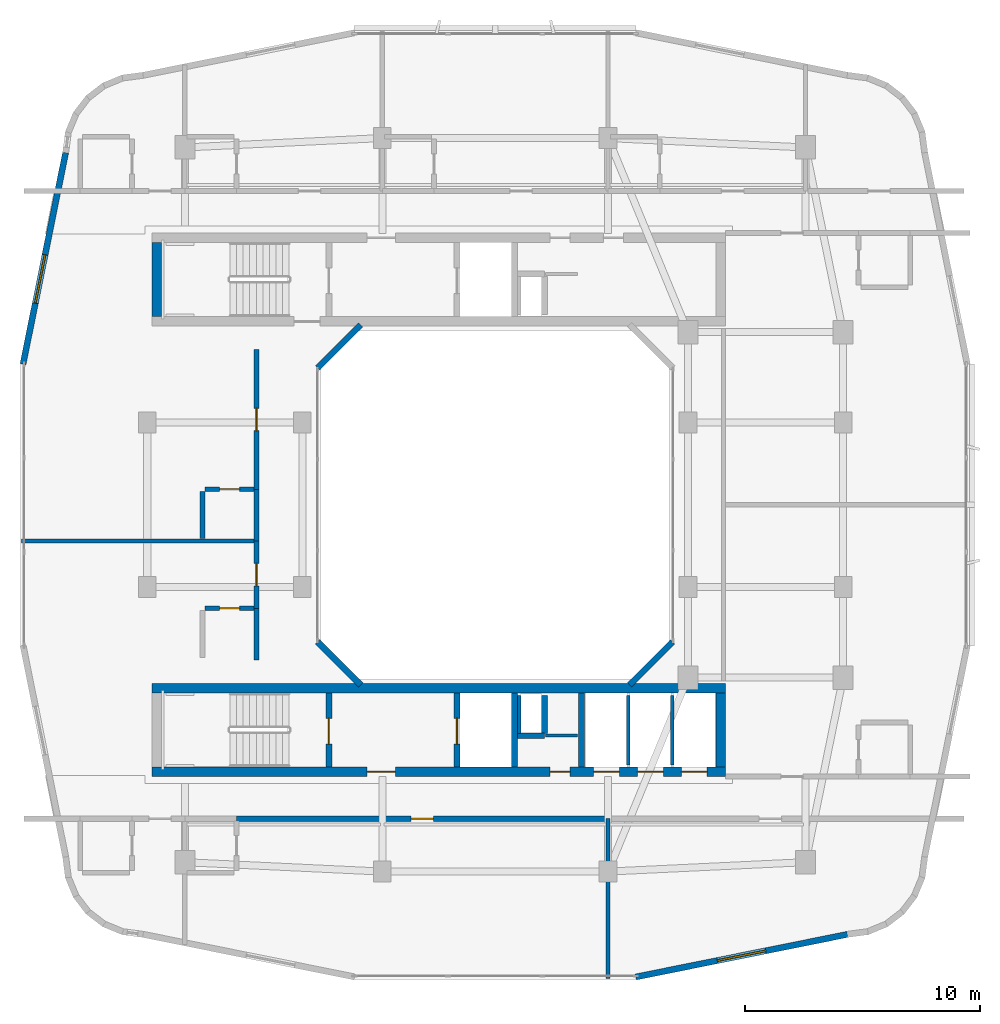
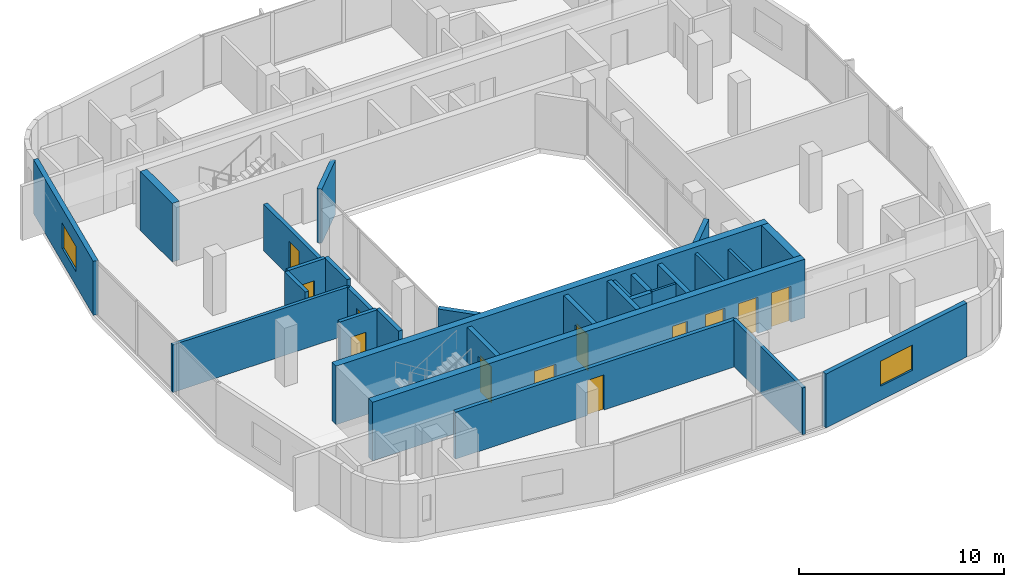
# One storey, part 7 of 14: 29 walls, 12 doors, 2 windows, 14 openings.
"""IFC4 building model written with IfcOpenShell, lengths in metres."""

import ifcopenshell
import ifcopenshell.guid

model = None  # the IFC model being written
_history = None  # IfcOwnerHistory: only IFC2X3 demands one
_inside = {}  # id of a spatial element -> (the spatial element, [elements in it])
_under = {}  # id of a project, library or spatial element -> (it, [spatial elements below it])
_declared = {}  # id of a project -> (the project, [libraries it declares])
_typed = {}  # id of a type object -> (the type object, [elements of that type])
_made_of = {}  # id of a material, layer set ... -> (it, [elements and type objects made of it])


def new_model(schema):
    """Start an empty IFC model of exactly this schema.

    Asked for "IFC4X3", IfcOpenShell would pick the latest addendum, in which some entities
    have other attributes; the version numbers below select the first issue.
    IFC2X3 requires an IfcOwnerHistory on every rooted entity: one is made here for all.
    """
    global model, _history
    if schema == "IFC4X3":
        model = ifcopenshell.file(schema_version=(4, 3, 0, 0))
    else:
        model = ifcopenshell.file(schema=schema)
    _inside.clear()
    _under.clear()
    _declared.clear()
    _typed.clear()
    _made_of.clear()
    _history = None
    if model.schema == "IFC2X3":
        org = make("IfcOrganization", Name="unknown")
        user = make(
            "IfcPersonAndOrganization",
            ThePerson=make("IfcPerson", FamilyName="unknown"),
            TheOrganization=org,
        )
        app = make(
            "IfcApplication",
            ApplicationDeveloper=org,
            Version="unknown",
            ApplicationFullName="unknown",
            ApplicationIdentifier="unknown",
        )
        _history = make(
            "IfcOwnerHistory",
            OwningUser=user,
            OwningApplication=app,
            ChangeAction="ADDED",
            CreationDate=0,
        )
    return model


def make(cls, **values):
    """One entity of the class cls with the attributes given. An attribute that is None is left unset."""
    return model.create_entity(
        cls, **{name: value for name, value in values.items() if value is not None}
    )


def rooted(cls, **values):
    """An entity with a GlobalId (a new one), such as an element, a storey or a relation."""
    return make(cls, GlobalId=ifcopenshell.guid.new(), OwnerHistory=_history, **values)


def si_unit(unit_type, name, prefix=None):
    """IfcSIUnit, for example si_unit("LENGTHUNIT", "METRE", prefix="MILLI")."""
    return make("IfcSIUnit", UnitType=unit_type, Prefix=prefix, Name=name)


def derived_unit(unit_type, elements):
    """IfcDerivedUnit: a product of units, each with its exponent."""
    return make(
        "IfcDerivedUnit",
        Elements=[
            make("IfcDerivedUnitElement", Unit=unit, Exponent=power)
            for unit, power in elements
        ],
        UnitType=unit_type,
    )


def assignment(units):
    """IfcUnitAssignment: the units of a project."""
    return None if units is None else make("IfcUnitAssignment", Units=units)


def point(xyz):
    """IfcCartesianPoint."""
    return None if xyz is None else make("IfcCartesianPoint", Coordinates=xyz)


def direction(xyz):
    """IfcDirection."""
    return None if xyz is None else make("IfcDirection", DirectionRatios=xyz)


def frame(location, z_axis=None, x_axis=None):
    """IfcAxis2Placement3D, a coordinate frame: its origin and axes. An axis left out is left unset."""
    return make(
        "IfcAxis2Placement3D",
        Location=point(location),
        Axis=direction(z_axis),
        RefDirection=direction(x_axis),
    )


def frame_2d(location, x_axis=None):
    """IfcAxis2Placement2D, a coordinate frame in the plane: its origin and x axis."""
    return make(
        "IfcAxis2Placement2D", Location=point(location), RefDirection=direction(x_axis)
    )


def origin():
    """The frame at (0, 0, 0) with its axes left unset."""
    return frame((0.0, 0.0, 0.0))


def place(relative_to, where):
    """IfcLocalPlacement: puts the frame where relative to a parent placement (None: the world)."""
    return make(
        "IfcLocalPlacement", PlacementRelTo=relative_to, RelativePlacement=where
    )


def context(
    kind, dimensions, precision=None, world=None, true_north=None, identifier=None
):
    """IfcGeometricRepresentationContext, for example the 3D "Model" context."""
    return make(
        "IfcGeometricRepresentationContext",
        ContextIdentifier=identifier,
        ContextType=kind,
        CoordinateSpaceDimension=dimensions,
        Precision=precision,
        WorldCoordinateSystem=world,
        TrueNorth=true_north,
    )


def subcontext(parent, identifier, kind, view, scale=None):
    """IfcGeometricRepresentationSubContext, for example "Body" below "Model"."""
    return make(
        "IfcGeometricRepresentationSubContext",
        ContextIdentifier=identifier,
        ContextType=kind,
        ParentContext=parent,
        TargetScale=scale,
        TargetView=view,
    )


def project(units=None, contexts=None):
    """IfcProject with its units and contexts."""
    return rooted(
        "IfcProject",
        Name="project",
        RepresentationContexts=contexts,
        UnitsInContext=assignment(units),
    )


def spatial(cls, under=None, at=None, **own):
    """A site, building, storey or space (cls), placed at a placement, below another one or the project."""
    s = rooted(cls, ObjectPlacement=at, **own)
    if under is not None:
        _under.setdefault(under.id(), (under, []))[1].append(s)
    return s


def profile(cls, at=None, kind="AREA", **sizes):
    """A parametric profile (cls). Its sizes go by their IFC names, for example OverallWidth=200.0."""
    return make(cls, ProfileType=kind, Position=at, **sizes)


def rectangle(**sizes):
    """IfcRectangleProfileDef."""
    return profile("IfcRectangleProfileDef", **sizes)


def extrude(swept, where, along, depth):
    """IfcExtrudedAreaSolid: the profile swept, set in the frame where, extruded along a direction by depth."""
    return make(
        "IfcExtrudedAreaSolid",
        SweptArea=swept,
        Position=where,
        ExtrudedDirection=direction(along),
        Depth=depth,
    )


def shape(context_of_items, identifier, shape_type, items):
    """IfcShapeRepresentation: the items that make up one representation, for example the "Body"."""
    return make(
        "IfcShapeRepresentation",
        ContextOfItems=context_of_items,
        RepresentationIdentifier=identifier,
        RepresentationType=shape_type,
        Items=items,
    )


def material(Name=None, Category=None):
    """IfcMaterial."""
    return make("IfcMaterial", Name=Name, Category=Category)


def layer(
    of_material, thickness, ventilated=None, Name=None, Category=None, Priority=None
):
    """IfcMaterialLayer: one layer of a wall or slab, of a material (None: an air gap)."""
    return make(
        "IfcMaterialLayer",
        Material=of_material,
        LayerThickness=thickness,
        IsVentilated=ventilated,
        Name=Name,
        Category=Category,
        Priority=Priority,
    )


def layer_set(layers, Name=None):
    """IfcMaterialLayerSet."""
    return make("IfcMaterialLayerSet", MaterialLayers=layers, LayerSetName=Name)


def made_of(thing, what):
    """Note that an element or type object is made of a material, layer set ...; save() writes the relation."""
    if what is not None:
        _made_of.setdefault(what.id(), (what, []))[1].append(thing)
    return thing


def type_object(cls, material=None, **own):
    """A type object (cls), such as IfcWallType, which elements share."""
    return made_of(rooted(cls, **own), material)


def element(
    cls,
    number,
    at=None,
    inside=None,
    cuts=None,
    type_object=None,
    material=None,
    context=None,
    identifier="Body",
    shape_type=None,
    held_by="IfcProductDefinitionShape",
    body=None,
    shapes=None,
    **own,
):
    """One element of the class cls, such as IfcWall. Its Tag is "e" and its number.

    at: its placement. inside: the storey or other place that contains it. cuts: it is an
    opening in that element (IfcRelVoidsElement). A single representation is given by context,
    identifier, shape_type and body (its items); several are given by shapes. held_by: the class
    of the entity that holds the representations. save() writes the other relations.
    """
    e = rooted(cls, Tag="e%d" % number, ObjectPlacement=at, **own)
    if body is not None:
        shapes = [shape(context, identifier, shape_type, body)]
    if shapes is not None:
        e.Representation = make(held_by, Representations=shapes)
    if inside is not None:
        _inside.setdefault(inside.id(), (inside, []))[1].append(e)
    if cuts is not None:
        rooted(
            "IfcRelVoidsElement", RelatingBuildingElement=cuts, RelatedOpeningElement=e
        )
    if type_object is not None:
        _typed.setdefault(type_object.id(), (type_object, []))[1].append(e)
    return made_of(e, material)


def fill(opening, filler):
    """IfcRelFillsElement: the door or window that sits in an opening."""
    return rooted(
        "IfcRelFillsElement",
        RelatingOpeningElement=opening,
        RelatedBuildingElement=filler,
    )


def aggregate(whole, parts):
    """IfcRelAggregates: a whole, such as a stair, and the parts it consists of."""
    return rooted("IfcRelAggregates", RelatingObject=whole, RelatedObjects=parts)


def save(model, path):
    """Write the relations noted so far, then the file.

    IfcRelAggregates (storeys below a building ...), IfcRelContainedInSpatialStructure (elements
    in a storey), IfcRelDefinesByType, IfcRelAssociatesMaterial and IfcRelDeclares: one each for
    every whole, place, type object, material and project.
    """
    for whole, parts in _under.values():
        aggregate(whole, parts)
    for where, things in _inside.values():
        rooted(
            "IfcRelContainedInSpatialStructure",
            RelatedElements=things,
            RelatingStructure=where,
        )
    for kind, things in _typed.values():
        rooted("IfcRelDefinesByType", RelatedObjects=things, RelatingType=kind)
    for what, things in _made_of.values():
        rooted("IfcRelAssociatesMaterial", RelatedObjects=things, RelatingMaterial=what)
    for by, libraries in _declared.values():
        rooted("IfcRelDeclares", RelatingContext=by, RelatedDefinitions=libraries)
    model.write(path)


model = new_model("IFC4")

# Units and contexts
model_context = context("Model", 3, precision=1e-05, world=origin(), true_north=direction((0.0, 1.0)))
body_context = subcontext(model_context, "Body", "Model", "MODEL_VIEW")
ifc_project = project(units=[si_unit("LENGTHUNIT", "METRE"), si_unit("AREAUNIT", "SQUARE_METRE"), si_unit("VOLUMEUNIT", "CUBIC_METRE"), si_unit("PLANEANGLEUNIT", "RADIAN"), si_unit("MASSUNIT", "GRAM", prefix="KILO"), derived_unit("THERMALTRANSMITTANCEUNIT", [(si_unit("POWERUNIT", "WATT"), 1), (si_unit("LENGTHUNIT", "METRE"), -2), (si_unit("THERMODYNAMICTEMPERATUREUNIT", "KELVIN"), -1)])], contexts=[model_context])

# Site, building, storey
site_placement = place(None, origin())
site = spatial("IfcSite", under=ifc_project, at=site_placement, CompositionType="ELEMENT")
building_placement = place(site_placement, origin())
building = spatial("IfcBuilding", under=site, at=building_placement, Name="Kivonza Crest Hotel", CompositionType="ELEMENT")
storey_placement = place(building_placement, frame((0.0, 0.0, 152.0)))
storey = spatial("IfcBuildingStorey", under=building, at=storey_placement, Name="L41", CompositionType="ELEMENT", Elevation=152.0)

# Walls
ifc_material_1 = material(Name="High-density acoustic masonry inter-tenancy wall", Category="masonry")
ifc_layer_1 = layer(ifc_material_1, 0.179931640625)
ifc_layer_set_1 = layer_set([ifc_layer_1], Name="High-density acoustic masonry inter-tenancy wall")
wall_type_1 = type_object("IfcWallType", Name="WL-ACOU-180", PredefinedType="SOLIDWALL", material=ifc_layer_set_1)
wall_1_placement = place(storey_placement, frame((25.800048828125, 4.860107421875, 0.0), z_axis=(0.0, 0.0, 1.0), x_axis=(0.0, 1.0, 0.0)))
element("IfcWall", 1, at=wall_1_placement, inside=storey, type_object=wall_type_1, Name="L41 interior partition WA-L41-T1S-DIV2", PredefinedType="SOLIDWALL", context=body_context, shape_type="SweptSolid", body=[
    extrude(rectangle(XDim=6.789794921875, YDim=0.179931640625, at=frame_2d((3.39501953125, 0.0))), origin(), (0.0, 0.0, 1.0), 2.794921875),
])
wall_2_placement = place(storey_placement, frame((0.860107421875, 23.4599609375, 0.0), z_axis=(0.0, 0.0, 1.0), x_axis=(1.0, 0.0, 0.0)))
element("IfcWall", 2, at=wall_2_placement, inside=storey, type_object=wall_type_1, Name="L41 interior partition WA-L41-T1W-DIV1", PredefinedType="SOLIDWALL", context=body_context, shape_type="SweptSolid", body=[
    extrude(rectangle(XDim=9.989990234375, YDim=0.179931640625, at=frame_2d((4.9951171875, 0.0))), origin(), (0.0, 0.0, 1.0), 2.8349609375),
])

# Wall, opening, door
ifc_material_2 = material(Name="Autoclaved aerated concrete blockwork", Category="masonry")
ifc_layer_2 = layer(ifc_material_2, 0.219970703125)
ifc_layer_set_2 = layer_set([ifc_layer_2], Name="Autoclaved aerated concrete blockwork")
wall_type_2 = type_object("IfcWallType", Name="WL-ACOU-220", PredefinedType="SOLIDWALL", material=ifc_layer_set_2)
wall_3_placement = place(storey_placement, frame((10.0, 11.64990234375, 0.0), z_axis=(0.0, 0.0, 1.0), x_axis=(1.0, 0.0, 0.0)))
wall_3 = element("IfcWall", 3, at=wall_3_placement, inside=storey, type_object=wall_type_2, Name="L41 interior partition WA-L41-S06-MCORR", PredefinedType="SOLIDWALL", context=body_context, shape_type="SweptSolid", body=[
    extrude(rectangle(XDim=15.800048828125, YDim=0.219970703125, at=frame_2d((7.89990234375, 0.0))), origin(), (0.0, 0.0, 1.0), 2.794921875),
])
opening_1_placement = place(wall_3_placement, frame((7.425048828125, 0.0, 0.0)))
opening_1 = element("IfcOpeningElement", 4, at=opening_1_placement, cuts=wall_3, Name="Opening DU-60", PredefinedType="OPENING", context=body_context, shape_type="SweptSolid", body=[
    extrude(rectangle(XDim=0.949951171875, YDim=2.10009765625, at=frame_2d((0.47509765625, 1.050048828125))), frame((0.0, 0.1201171875, 0.0), z_axis=(0.0, -1.0, 0.0), x_axis=(1.0, 0.0, 0.0)), (0.0, 0.0, 1.0), 0.239990234375),
])
ifc_material_3 = material(Name="Hardwood timber oak", Category="wood")
door_type_1 = type_object("IfcDoorType", Name="DR-UNIT-950", OperationType="NOTDEFINED", PredefinedType="DOOR", material=ifc_material_3)
door_1_placement = place(opening_1_placement, frame((0.949951171875, 0.0, 0.0), z_axis=(0.0, 0.0, 1.0), x_axis=(-1.0, 0.0, 0.0)))
door_1 = element("IfcDoor", 5, at=door_1_placement, inside=storey, type_object=door_type_1, Name="L41 S06 guest unit entrance fire door", OperationType="SINGLE_SWING_RIGHT", OverallHeight=2.10009765625, OverallWidth=0.949951171875, PredefinedType="DOOR", context=body_context, shape_type="SweptSolid", body=[
    extrude(rectangle(XDim=0.949951171875, YDim=2.10009765625, at=frame_2d((0.47509765625, 1.050048828125))), frame((0.0, 0.02490234375, 0.0), z_axis=(0.0, -1.0, 0.0), x_axis=(1.0, 0.0, 0.0)), (0.0, 0.0, 1.0), 0.050048828125),
])
fill(opening_1, door_1)

# Wall
wall_4_placement = place(storey_placement, frame((10.85009765625, 18.39990234375, 0.0), z_axis=(0.0, 0.0, 1.0), x_axis=(0.0, 1.0, 0.0)))
element("IfcWall", 6, at=wall_4_placement, inside=storey, type_object=wall_type_2, Name="L41 interior partition WA-L41-W07-BCORR", PredefinedType="SOLIDWALL", context=body_context, shape_type="SweptSolid", body=[
    extrude(rectangle(XDim=2.2001953125, YDim=0.219970703125, at=frame_2d((1.10009765625, 0.0))), origin(), (0.0, 0.0, 1.0), 3.219970703125),
])

# Wall, opening, door
wall_5_placement = place(storey_placement, frame((10.85009765625, 20.60009765625, 0.0), z_axis=(0.0, 0.0, 1.0), x_axis=(0.0, 1.0, 0.0)))
wall_5 = element("IfcWall", 7, at=wall_5_placement, inside=storey, type_object=wall_type_2, Name="L41 interior partition WA-L41-W07-MCORR", PredefinedType="SOLIDWALL", context=body_context, shape_type="SweptSolid", body=[
    extrude(rectangle(XDim=2.85986328125, YDim=0.219970703125, at=frame_2d((1.429931640625, 0.0))), origin(), (0.0, 0.0, 1.0), 2.794921875),
])
opening_2_placement = place(wall_5_placement, frame((0.955078125, 0.0, 0.0)))
opening_2 = element("IfcOpeningElement", 8, at=opening_2_placement, cuts=wall_5, Name="Opening DU-60", PredefinedType="OPENING", context=body_context, shape_type="SweptSolid", body=[
    extrude(rectangle(XDim=0.949951171875, YDim=2.10009765625, at=frame_2d((0.47509765625, 1.050048828125))), frame((0.0, 0.1201171875, 0.0), z_axis=(0.0, -1.0, 0.0), x_axis=(1.0, 0.0, 0.0)), (0.0, 0.0, 1.0), 0.239990234375),
])
door_2_placement = place(opening_2_placement, origin())
door_2 = element("IfcDoor", 9, at=door_2_placement, inside=storey, type_object=door_type_1, Name="L41 W07 guest unit entrance fire door", OperationType="SINGLE_SWING_LEFT", OverallHeight=2.10009765625, OverallWidth=0.949951171875, PredefinedType="DOOR", context=body_context, shape_type="SweptSolid", body=[
    extrude(rectangle(XDim=0.949951171875, YDim=2.10009765625, at=frame_2d((0.47509765625, 1.050048828125))), frame((0.0, 0.02490234375, 0.0), z_axis=(0.0, -1.0, 0.0), x_axis=(1.0, 0.0, 0.0)), (0.0, 0.0, 1.0), 0.050048828125),
])
fill(opening_2, door_2)

# Wall
wall_6_placement = place(storey_placement, frame((10.85009765625, 23.4599609375, 0.0), z_axis=(0.0, 0.0, 1.0), x_axis=(0.0, 1.0, 0.0)))
element("IfcWall", 10, at=wall_6_placement, inside=storey, type_object=wall_type_2, Name="L41 interior partition WA-L41-W08-BCORR", PredefinedType="SOLIDWALL", context=body_context, shape_type="SweptSolid", body=[
    extrude(rectangle(XDim=2.199951171875, YDim=0.219970703125, at=frame_2d((1.10009765625, 0.0))), origin(), (0.0, 0.0, 1.0), 3.219970703125),
])

# Wall, opening, door
wall_7_placement = place(storey_placement, frame((10.85009765625, 25.659912109375, 0.0), z_axis=(0.0, 0.0, 1.0), x_axis=(0.0, 1.0, 0.0)))
wall_7 = element("IfcWall", 11, at=wall_7_placement, inside=storey, type_object=wall_type_2, Name="L41 interior partition WA-L41-W08-MCORR", PredefinedType="SOLIDWALL", context=body_context, shape_type="SweptSolid", body=[
    extrude(rectangle(XDim=5.940185546875, YDim=0.219970703125, at=frame_2d((2.97021484375, 0.0))), origin(), (0.0, 0.0, 1.0), 2.794921875),
])
opening_3_placement = place(wall_7_placement, frame((2.4951171875, 0.0, 0.0)))
opening_3 = element("IfcOpeningElement", 12, at=opening_3_placement, cuts=wall_7, Name="Opening DU-60", PredefinedType="OPENING", context=body_context, shape_type="SweptSolid", body=[
    extrude(rectangle(XDim=0.949951171875, YDim=2.10009765625, at=frame_2d((0.47509765625, 1.050048828125))), frame((0.0, 0.1201171875, 0.0), z_axis=(0.0, -1.0, 0.0), x_axis=(1.0, 0.0, 0.0)), (0.0, 0.0, 1.0), 0.239990234375),
])
door_3_placement = place(opening_3_placement, origin())
door_3 = element("IfcDoor", 13, at=door_3_placement, inside=storey, type_object=door_type_1, Name="L41 W08 guest unit entrance fire door", OperationType="SINGLE_SWING_RIGHT", OverallHeight=2.10009765625, OverallWidth=0.949951171875, PredefinedType="DOOR", context=body_context, shape_type="SweptSolid", body=[
    extrude(rectangle(XDim=0.949951171875, YDim=2.10009765625, at=frame_2d((0.47509765625, 1.050048828125))), frame((0.0, 0.02490234375, 0.0), z_axis=(0.0, -1.0, 0.0), x_axis=(1.0, 0.0, 0.0)), (0.0, 0.0, 1.0), 0.050048828125),
])
fill(opening_3, door_3)

# Wall
ifc_material_4 = material(Name="Concrete C50/60", Category="concrete")
ifc_layer_3 = layer(ifc_material_4, 0.39990234375)
ifc_layer_set_3 = layer_set([ifc_layer_3], Name="Concrete C50/60")
wall_type_3 = type_object("IfcWallType", Name="WL-CORE-400", PredefinedType="SHEAR", material=ifc_layer_set_3)
wall_8_placement = place(storey_placement, frame((6.60009765625, 33.0, 0.0), z_axis=(0.0, 0.0, 1.0), x_axis=(0.0, 1.0, 0.0)))
element("IfcWall", 14, at=wall_8_placement, inside=storey, type_object=wall_type_3, Name="Core wall T1-N West L41", PredefinedType="SHEAR", context=body_context, shape_type="SweptSolid", body=[
    extrude(rectangle(XDim=3.159912109375, YDim=0.39990234375, at=frame_2d((1.580078125, 0.0))), origin(), (0.0, 0.0, 1.0), 3.5),
])

# Wall, openings, doors
wall_9_placement = place(storey_placement, frame((6.39990234375, 13.639892578125, 0.0), z_axis=(0.0, 0.0, 1.0), x_axis=(1.0, 0.0, 0.0)))
wall_9 = element("IfcWall", 15, at=wall_9_placement, inside=storey, type_object=wall_type_3, Name="Core wall T1-S South L41", PredefinedType="SHEAR", context=body_context, shape_type="SweptSolid", body=[
    extrude(rectangle(XDim=24.400146484375, YDim=0.39990234375, at=frame_2d((12.2001953125, 0.0))), origin(), (0.0, 0.0, 1.0), 3.5),
])
opening_4_placement = place(wall_9_placement, frame((9.14990234375, 0.0, 0.0)))
opening_4 = element("IfcOpeningElement", 16, at=opening_4_placement, cuts=wall_9, Name="Opening DF-60", PredefinedType="OPENING", context=body_context, shape_type="SweptSolid", body=[
    extrude(rectangle(XDim=1.199951171875, YDim=2.14990234375, at=frame_2d((0.60009765625, 1.074951171875))), frame((0.0, 0.2099609375, 0.0), z_axis=(0.0, -1.0, 0.0), x_axis=(1.0, 0.0, 0.0)), (0.0, 0.0, 1.0), 0.419921875),
])
opening_5_placement = place(wall_9_placement, frame((16.93994140625, 0.0, 0.0)))
opening_5 = element("IfcOpeningElement", 17, at=opening_5_placement, cuts=wall_9, Name="Opening DF-60R", PredefinedType="OPENING", context=body_context, shape_type="SweptSolid", body=[
    extrude(rectangle(XDim=0.85009765625, YDim=2.10009765625, at=frame_2d((0.425048828125, 1.050048828125))), frame((0.0, 0.2099609375, 0.0), z_axis=(0.0, -1.0, 0.0), x_axis=(1.0, 0.0, 0.0)), (0.0, 0.0, 1.0), 0.419921875),
])
opening_6_placement = place(wall_9_placement, frame((18.782958984375, 0.0, 0.0)))
opening_6 = element("IfcOpeningElement", 18, at=opening_6_placement, cuts=wall_9, Name="Opening LD-120", PredefinedType="OPENING", context=body_context, shape_type="SweptSolid", body=[
    extrude(rectangle(XDim=1.10009765625, YDim=2.14990234375, at=frame_2d((0.550048828125, 1.074951171875))), frame((0.0, 0.2099609375, 0.0), z_axis=(0.0, -1.0, 0.0), x_axis=(1.0, 0.0, 0.0)), (0.0, 0.0, 1.0), 0.419921875),
])
opening_7_placement = place(wall_9_placement, frame((20.64990234375, 0.0, 0.0)))
opening_7 = element("IfcOpeningElement", 19, at=opening_7_placement, cuts=wall_9, Name="Opening LD-120", PredefinedType="OPENING", context=body_context, shape_type="SweptSolid", body=[
    extrude(rectangle(XDim=1.10009765625, YDim=2.14990234375, at=frame_2d((0.550048828125, 1.074951171875))), frame((0.0, 0.2099609375, 0.0), z_axis=(0.0, -1.0, 0.0), x_axis=(1.0, 0.0, 0.0)), (0.0, 0.0, 1.0), 0.419921875),
])
opening_8_placement = place(wall_9_placement, frame((22.51708984375, 0.0, 0.0)))
opening_8 = element("IfcOpeningElement", 20, at=opening_8_placement, cuts=wall_9, Name="Opening LD-120", PredefinedType="OPENING", context=body_context, shape_type="SweptSolid", body=[
    extrude(rectangle(XDim=1.10009765625, YDim=2.14990234375, at=frame_2d((0.550048828125, 1.074951171875))), frame((0.0, 0.2099609375, 0.0), z_axis=(0.0, -1.0, 0.0), x_axis=(1.0, 0.0, 0.0)), (0.0, 0.0, 1.0), 0.419921875),
])
door_type_2 = type_object("IfcDoorType", Name="DR-FD60-1200", OperationType="NOTDEFINED", PredefinedType="DOOR", material=ifc_material_3)
door_4_placement = place(opening_4_placement, frame((1.199951171875, 0.0, 0.0), z_axis=(0.0, 0.0, 1.0), x_axis=(-1.0, 0.0, 0.0)))
door_4 = element("IfcDoor", 21, at=door_4_placement, inside=storey, type_object=door_type_2, Name="L41 T1-S firefighting lobby fire door", OperationType="SINGLE_SWING_LEFT", OverallHeight=2.14990234375, OverallWidth=1.199951171875, PredefinedType="DOOR", context=body_context, shape_type="SweptSolid", body=[
    extrude(rectangle(XDim=1.199951171875, YDim=2.14990234375, at=frame_2d((0.60009765625, 1.074951171875))), frame((0.0, 0.02490234375, 0.0), z_axis=(0.0, -1.0, 0.0), x_axis=(1.0, 0.0, 0.0)), (0.0, 0.0, 1.0), 0.050048828125),
])
fill(opening_4, door_4)
door_type_3 = type_object("IfcDoorType", Name="DR-FD60-850", OperationType="NOTDEFINED", PredefinedType="DOOR", material=ifc_material_3)
door_5_placement = place(opening_5_placement, frame((0.85009765625, 0.0, 0.0), z_axis=(0.0, 0.0, 1.0), x_axis=(-1.0, 0.0, 0.0)))
door_5 = element("IfcDoor", 22, at=door_5_placement, inside=storey, type_object=door_type_3, Name="L41 T1-S core room door", OperationType="SINGLE_SWING_RIGHT", OverallHeight=2.10009765625, OverallWidth=0.85009765625, PredefinedType="DOOR", context=body_context, shape_type="SweptSolid", body=[
    extrude(rectangle(XDim=0.85009765625, YDim=2.10009765625, at=frame_2d((0.425048828125, 1.050048828125))), frame((0.0, 0.02490234375, 0.0), z_axis=(0.0, -1.0, 0.0), x_axis=(1.0, 0.0, 0.0)), (0.0, 0.0, 1.0), 0.050048828125),
])
fill(opening_5, door_5)
ifc_material_5 = material(Name="Stainless steel", Category="steel")
door_type_4 = type_object("IfcDoorType", Name="DR-LD120-1100", OperationType="NOTDEFINED", PredefinedType="DOOR", material=ifc_material_5)
door_6_placement = place(opening_6_placement, frame((1.10009765625, 0.0, 0.0), z_axis=(0.0, 0.0, 1.0), x_axis=(-1.0, 0.0, 0.0)))
door_6 = element("IfcDoor", 23, at=door_6_placement, inside=storey, type_object=door_type_4, Name="L41 PL-T1-H1 passenger lift sliding landing door", OperationType="DOUBLE_DOOR_SLIDING", OverallHeight=2.14990234375, OverallWidth=1.10009765625, PredefinedType="DOOR", context=body_context, shape_type="SweptSolid", body=[
    extrude(rectangle(XDim=1.10009765625, YDim=2.14990234375, at=frame_2d((0.550048828125, 1.074951171875))), frame((0.0, 0.02490234375, 0.0), z_axis=(0.0, -1.0, 0.0), x_axis=(1.0, 0.0, 0.0)), (0.0, 0.0, 1.0), 0.050048828125),
])
fill(opening_6, door_6)
door_7_placement = place(opening_7_placement, frame((1.10009765625, 0.0, 0.0), z_axis=(0.0, 0.0, 1.0), x_axis=(-1.0, 0.0, 0.0)))
door_7 = element("IfcDoor", 24, at=door_7_placement, inside=storey, type_object=door_type_4, Name="L41 PL-T1-H2 passenger lift sliding landing door", OperationType="DOUBLE_DOOR_SLIDING", OverallHeight=2.14990234375, OverallWidth=1.10009765625, PredefinedType="DOOR", context=body_context, shape_type="SweptSolid", body=[
    extrude(rectangle(XDim=1.10009765625, YDim=2.14990234375, at=frame_2d((0.550048828125, 1.074951171875))), frame((0.0, 0.02490234375, 0.0), z_axis=(0.0, -1.0, 0.0), x_axis=(1.0, 0.0, 0.0)), (0.0, 0.0, 1.0), 0.050048828125),
])
fill(opening_7, door_7)
door_8_placement = place(opening_8_placement, frame((1.10009765625, 0.0, 0.0), z_axis=(0.0, 0.0, 1.0), x_axis=(-1.0, 0.0, 0.0)))
door_8 = element("IfcDoor", 25, at=door_8_placement, inside=storey, type_object=door_type_4, Name="L41 PL-T1-H3 passenger lift sliding landing door", OperationType="DOUBLE_DOOR_SLIDING", OverallHeight=2.14990234375, OverallWidth=1.10009765625, PredefinedType="DOOR", context=body_context, shape_type="SweptSolid", body=[
    extrude(rectangle(XDim=1.10009765625, YDim=2.14990234375, at=frame_2d((0.550048828125, 1.074951171875))), frame((0.0, 0.02490234375, 0.0), z_axis=(0.0, -1.0, 0.0), x_axis=(1.0, 0.0, 0.0)), (0.0, 0.0, 1.0), 0.050048828125),
])
fill(opening_8, door_8)

# Walls
wall_10_placement = place(storey_placement, frame((6.39990234375, 17.199951171875, 0.0), z_axis=(0.0, 0.0, 1.0), x_axis=(1.0, 0.0, 0.0)))
element("IfcWall", 26, at=wall_10_placement, inside=storey, type_object=wall_type_3, Name="Core wall T1-S North L41", PredefinedType="SHEAR", context=body_context, shape_type="SweptSolid", body=[
    extrude(rectangle(XDim=24.400146484375, YDim=0.39990234375, at=frame_2d((12.2001953125, 0.0))), origin(), (0.0, 0.0, 1.0), 3.5),
])
wall_11_placement = place(storey_placement, frame((30.60009765625, 13.840087890625, 0.0), z_axis=(0.0, 0.0, 1.0), x_axis=(0.0, 1.0, 0.0)))
element("IfcWall", 27, at=wall_11_placement, inside=storey, type_object=wall_type_3, Name="Core wall T1-S East L41", PredefinedType="SHEAR", context=body_context, shape_type="SweptSolid", body=[
    extrude(rectangle(XDim=3.159912109375, YDim=0.39990234375, at=frame_2d((1.580078125, 0.0))), origin(), (0.0, 0.0, 1.0), 3.5),
])

# Wall, opening, window
ifc_material_6 = material(Name="Precast concrete C40/50", Category="concrete")
ifc_layer_4 = layer(ifc_material_6, 0.260009765625)
ifc_layer_set_4 = layer_set([ifc_layer_4], Name="Precast concrete C40/50")
wall_type_4 = type_object("IfcWallType", Name="WL-EXT-260", PredefinedType="STANDARD", material=ifc_layer_set_4)
wall_12_placement = place(storey_placement, frame((26.97998046875, 4.916015625, 0.0), z_axis=(0.0, 0.0, 1.0), x_axis=(0.980315963543, 0.197435082048, 0.0)))
wall_12 = element("IfcWall", 28, at=wall_12_placement, inside=storey, type_object=wall_type_4, Name="L41 T1 exterior insulated wall 9", PredefinedType="STANDARD", context=body_context, shape_type="SweptSolid", body=[
    extrude(rectangle(XDim=9.1826171875, YDim=0.260009765625, at=frame_2d((4.59130859375, 0.0))), origin(), (0.0, 0.0, 1.0), 3.219970703125),
])
opening_9_placement = place(wall_12_placement, frame((3.541015625, 0.0, 0.85009765625)))
opening_9 = element("IfcOpeningElement", 29, at=opening_9_placement, cuts=wall_12, Name="Opening WN-04", PredefinedType="OPENING", context=body_context, shape_type="SweptSolid", body=[
    extrude(rectangle(XDim=2.10009765625, YDim=1.5, at=frame_2d((1.050048828125, 0.75))), frame((0.0, 0.14013671875, 0.0), z_axis=(0.0, -1.0, 0.0), x_axis=(1.0, 0.0, 0.0)), (0.0, 0.0, 1.0), 0.280029296875),
])
ifc_material_7 = material(Name="Thermally broken bronze aluminium and low-E double glazing", Category="aluminium")
window_type = type_object("IfcWindowType", Name="WN-210x150", PartitioningType="DOUBLE_PANEL_VERTICAL", PredefinedType="WINDOW", material=ifc_material_7)
window_1_placement = place(opening_9_placement, origin())
window_1 = element("IfcWindow", 30, at=window_1_placement, inside=storey, type_object=window_type, Name="L41 T1 facade window 9", OverallHeight=1.5, OverallWidth=2.10009765625, PartitioningType="SINGLE_PANEL", PredefinedType="WINDOW", context=body_context, shape_type="SweptSolid", body=[
    extrude(rectangle(XDim=2.10009765625, YDim=1.5, at=frame_2d((1.050048828125, 0.75))), frame((0.0, 0.030029296875, 0.0), z_axis=(0.0, -1.0, 0.0), x_axis=(1.0, 0.0, 0.0)), (0.0, 0.0, 1.0), 0.06005859375),
])
fill(opening_9, window_1)

wall_13_placement = place(storey_placement, frame((2.72900390625, 39.98193359375, 0.0), z_axis=(0.0, 0.0, 1.0), x_axis=(-0.197435082048, -0.980315963543, 0.0)))
wall_13 = element("IfcWall", 31, at=wall_13_placement, inside=storey, type_object=wall_type_4, Name="L41 T1 exterior insulated wall 34", PredefinedType="STANDARD", context=body_context, shape_type="SweptSolid", body=[
    extrude(rectangle(XDim=9.1826171875, YDim=0.260009765625, at=frame_2d((4.59130859375, 0.0))), origin(), (0.0, 0.0, 1.0), 3.219970703125),
])
opening_10_placement = place(wall_13_placement, frame((4.43603515625, 0.0, 0.85009765625)))
opening_10 = element("IfcOpeningElement", 32, at=opening_10_placement, cuts=wall_13, Name="Opening WN-04", PredefinedType="OPENING", context=body_context, shape_type="SweptSolid", body=[
    extrude(rectangle(XDim=2.10009765625, YDim=1.5, at=frame_2d((1.050048828125, 0.75))), frame((0.0, 0.14013671875, 0.0), z_axis=(0.0, -1.0, 0.0), x_axis=(1.0, 0.0, 0.0)), (0.0, 0.0, 1.0), 0.280029296875),
])
window_2_placement = place(opening_10_placement, origin())
window_2 = element("IfcWindow", 33, at=window_2_placement, inside=storey, type_object=window_type, Name="L41 T1 facade window 34", OverallHeight=1.5, OverallWidth=2.10009765625, PartitioningType="SINGLE_PANEL", PredefinedType="WINDOW", context=body_context, shape_type="SweptSolid", body=[
    extrude(rectangle(XDim=2.10009765625, YDim=1.5, at=frame_2d((1.050048828125, 0.75))), frame((0.0, 0.030029296875, 0.0), z_axis=(0.0, -1.0, 0.0), x_axis=(1.0, 0.0, 0.0)), (0.0, 0.0, 1.0), 0.06005859375),
])
fill(opening_10, window_2)

# Walls
for number, where, z_axis, x_axis, name in (
    (34, (26.721923828125, 17.337890625, 0.0), (0.0, 0.0, 1.0), (0.707059717605, 0.707153841636, 0.0), "L41 T1 light-well exterior wall 2"),
    (35, (15.278076171875, 32.662109375, 0.0), (0.0, 0.0, 1.0), (-0.707059717605, -0.707153841636, 0.0), "L41 T1 light-well exterior wall 6"),
    (36, (13.444091796875, 19.172119140625, 0.0), (0.0, 0.0, 1.0), (0.707059717605, -0.707153841636, 0.0), "L41 T1 light-well exterior wall 8"),
):
    element("IfcWall", number, at=place(storey_placement, frame(where, z_axis=z_axis, x_axis=x_axis)), inside=storey, type_object=wall_type_4, Name=name, PredefinedType="STANDARD", context=body_context, shape_type="SweptSolid", body=[
        extrude(rectangle(XDim=2.59375, YDim=0.260009765625, at=frame_2d((1.296875, 0.0))), origin(), (0.0, 0.0, 1.0), 3.219970703125),
    ])
ifc_material_8 = material(Name="Concrete blockwork fire-compartment wall", Category="masonry")
ifc_layer_5 = layer(ifc_material_8, 0.25)
ifc_layer_set_5 = layer_set([ifc_layer_5], Name="Concrete blockwork fire-compartment wall")
wall_type_5 = type_object("IfcWallType", Name="WL-FIRE-250", PredefinedType="SOLIDWALL", material=ifc_layer_set_5)
wall_14_placement = place(storey_placement, frame((23.10009765625, 15.280029296875, 0.0), z_axis=(0.0, 0.0, 1.0), x_axis=(0.0, 1.0, 0.0)))
element("IfcWall", 37, at=wall_14_placement, inside=storey, type_object=wall_type_5, Name="L41 interior partition WA-L41-T1-S-MEPR-E", PredefinedType="SOLIDWALL", context=body_context, shape_type="SweptSolid", body=[
    extrude(rectangle(XDim=1.619873046875, YDim=0.25, at=frame_2d((0.81005859375, 0.0))), origin(), (0.0, 0.0, 1.0), 3.219970703125),
])
wall_15_placement = place(storey_placement, frame((21.949951171875, 15.179931640625, 0.0), z_axis=(0.0, 0.0, 1.0), x_axis=(1.0, 0.0, 0.0)))
element("IfcWall", 38, at=wall_15_placement, inside=storey, type_object=wall_type_5, Name="L41 interior partition WA-L41-T1-S-MEPR-H", PredefinedType="SOLIDWALL", context=body_context, shape_type="SweptSolid", body=[
    extrude(rectangle(XDim=1.150146484375, YDim=0.25, at=frame_2d((0.5751953125, 0.0))), origin(), (0.0, 0.0, 1.0), 3.219970703125),
])
ifc_material_9 = material(Name="Metal-stud gypsum board partition", Category="gypsum")
ifc_layer_6 = layer(ifc_material_9, 0.125)
ifc_layer_set_6 = layer_set([ifc_layer_6], Name="Metal-stud gypsum board partition")
wall_type_6 = type_object("IfcWallType", Name="WL-PART-125", PredefinedType="PARTITIONING", material=ifc_layer_set_6)
wall_16_placement = place(storey_placement, frame((23.14990234375, 15.179931640625, 0.0), z_axis=(0.0, 0.0, 1.0), x_axis=(1.0, 0.0, 0.0)))
element("IfcWall", 39, at=wall_16_placement, inside=storey, type_object=wall_type_6, Name="L41 interior partition WP-L41-T1-S-SV2H", PredefinedType="PARTITIONING", context=body_context, shape_type="SweptSolid", body=[
    extrude(rectangle(XDim=1.35009765625, YDim=0.125, at=frame_2d((0.675048828125, 0.0))), origin(), (0.0, 0.0, 1.0), 3.219970703125),
])
ifc_material_10 = material(Name="Twin-stud acoustic gypsum board partition", Category="gypsum")
ifc_layer_7 = layer(ifc_material_10, 0.14990234375)
ifc_layer_set_7 = layer_set([ifc_layer_7], Name="Twin-stud acoustic gypsum board partition")
wall_type_7 = type_object("IfcWallType", Name="WL-PART-150", PredefinedType="PARTITIONING", material=ifc_layer_set_7)
wall_17_placement = place(storey_placement, frame((22.030029296875, 15.280029296875, 0.0), z_axis=(0.0, 0.0, 1.0), x_axis=(0.0, 1.0, 0.0)))
element("IfcWall", 40, at=wall_17_placement, inside=storey, type_object=wall_type_7, Name="L41 interior partition WA-L41-T1-S-MEPR-W", PredefinedType="PARTITIONING", context=body_context, shape_type="SweptSolid", body=[
    extrude(rectangle(XDim=1.619873046875, YDim=0.14990234375, at=frame_2d((0.81005859375, 0.0))), origin(), (0.0, 0.0, 1.0), 3.219970703125),
])
wall_18_placement = place(storey_placement, frame((26.6669921875, 13.93994140625, 0.0), z_axis=(0.0, 0.0, 1.0), x_axis=(0.0, 1.0, 0.0)))
element("IfcWall", 41, at=wall_18_placement, inside=storey, type_object=wall_type_7, Name="L41 interior partition WP-L41-T1-S-BSH-1", PredefinedType="PARTITIONING", context=body_context, shape_type="SweptSolid", body=[
    extrude(rectangle(XDim=2.9599609375, YDim=0.14990234375, at=frame_2d((1.47998046875, 0.0))), origin(), (0.0, 0.0, 1.0), 3.219970703125),
])
wall_19_placement = place(storey_placement, frame((28.532958984375, 13.93994140625, 0.0), z_axis=(0.0, 0.0, 1.0), x_axis=(0.0, 1.0, 0.0)))
element("IfcWall", 42, at=wall_19_placement, inside=storey, type_object=wall_type_7, Name="L41 interior partition WP-L41-T1-S-BSH-2", PredefinedType="PARTITIONING", context=body_context, shape_type="SweptSolid", body=[
    extrude(rectangle(XDim=2.9599609375, YDim=0.14990234375, at=frame_2d((1.47998046875, 0.0))), origin(), (0.0, 0.0, 1.0), 2.794921875),
])

# Wall, opening, door
ifc_material_11 = material(Name="Moisture-resistant plumbing chase partition wall", Category="gypsum")
ifc_layer_8 = layer(ifc_material_11, 0.199951171875)
ifc_layer_set_8 = layer_set([ifc_layer_8], Name="Moisture-resistant plumbing chase partition wall")
wall_type_8 = type_object("IfcWallType", Name="WL-PLUMB-200", PredefinedType="PLUMBINGWALL", material=ifc_layer_set_8)
wall_20_placement = place(storey_placement, frame((8.64990234375, 20.60009765625, 0.0), z_axis=(0.0, 0.0, 1.0), x_axis=(1.0, 0.0, 0.0)))
wall_20 = element("IfcWall", 43, at=wall_20_placement, inside=storey, type_object=wall_type_8, Name="L41 interior partition WW-L41-W07-BH", PredefinedType="PLUMBINGWALL", context=body_context, shape_type="SweptSolid", body=[
    extrude(rectangle(XDim=2.10009765625, YDim=0.199951171875, at=frame_2d((1.050048828125, 0.0))), origin(), (0.0, 0.0, 1.0), 3.219970703125),
])
opening_11_placement = place(wall_20_placement, frame((0.625, 0.0, 0.0)))
opening_11 = element("IfcOpeningElement", 44, at=opening_11_placement, cuts=wall_20, Name="Opening DI-85", PredefinedType="OPENING", context=body_context, shape_type="SweptSolid", body=[
    extrude(rectangle(XDim=0.85009765625, YDim=2.10009765625, at=frame_2d((0.425048828125, 1.050048828125))), frame((0.0, 0.10986328125, 0.0), z_axis=(0.0, -1.0, 0.0), x_axis=(1.0, 0.0, 0.0)), (0.0, 0.0, 1.0), 0.219970703125),
])
door_type_5 = type_object("IfcDoorType", Name="DR-INT-850", OperationType="NOTDEFINED", PredefinedType="DOOR", material=ifc_material_3)
door_9_placement = place(opening_11_placement, origin())
door_9 = element("IfcDoor", 45, at=door_9_placement, inside=storey, type_object=door_type_5, Name="L41 W07 en-suite bathroom door", OperationType="SINGLE_SWING_RIGHT", OverallHeight=2.10009765625, OverallWidth=0.85009765625, PredefinedType="DOOR", context=body_context, shape_type="SweptSolid", body=[
    extrude(rectangle(XDim=0.85009765625, YDim=2.10009765625, at=frame_2d((0.425048828125, 1.050048828125))), frame((0.0, 0.02490234375, 0.0), z_axis=(0.0, -1.0, 0.0), x_axis=(1.0, 0.0, 0.0)), (0.0, 0.0, 1.0), 0.050048828125),
])
fill(opening_11, door_9)

wall_21_placement = place(storey_placement, frame((8.64990234375, 25.659912109375, 0.0), z_axis=(0.0, 0.0, 1.0), x_axis=(1.0, 0.0, 0.0)))
wall_21 = element("IfcWall", 46, at=wall_21_placement, inside=storey, type_object=wall_type_8, Name="L41 interior partition WW-L41-W08-BH", PredefinedType="PLUMBINGWALL", context=body_context, shape_type="SweptSolid", body=[
    extrude(rectangle(XDim=2.10009765625, YDim=0.199951171875, at=frame_2d((1.050048828125, 0.0))), origin(), (0.0, 0.0, 1.0), 3.219970703125),
])
opening_12_placement = place(wall_21_placement, frame((0.625, 0.0, 0.0)))
opening_12 = element("IfcOpeningElement", 47, at=opening_12_placement, cuts=wall_21, Name="Opening DI-85", PredefinedType="OPENING", context=body_context, shape_type="SweptSolid", body=[
    extrude(rectangle(XDim=0.85009765625, YDim=2.10009765625, at=frame_2d((0.425048828125, 1.050048828125))), frame((0.0, 0.10986328125, 0.0), z_axis=(0.0, -1.0, 0.0), x_axis=(1.0, 0.0, 0.0)), (0.0, 0.0, 1.0), 0.219970703125),
])
door_10_placement = place(opening_12_placement, origin())
door_10 = element("IfcDoor", 48, at=door_10_placement, inside=storey, type_object=door_type_5, Name="L41 W08 en-suite bathroom door", OperationType="SINGLE_SWING_LEFT", OverallHeight=2.10009765625, OverallWidth=0.85009765625, PredefinedType="DOOR", context=body_context, shape_type="SweptSolid", body=[
    extrude(rectangle(XDim=0.85009765625, YDim=2.10009765625, at=frame_2d((0.425048828125, 1.050048828125))), frame((0.0, 0.02490234375, 0.0), z_axis=(0.0, -1.0, 0.0), x_axis=(1.0, 0.0, 0.0)), (0.0, 0.0, 1.0), 0.050048828125),
])
fill(opening_12, door_10)

# Wall
wall_22_placement = place(storey_placement, frame((8.550048828125, 23.56005859375, 0.0), z_axis=(0.0, 0.0, 1.0), x_axis=(0.0, 1.0, 0.0)))
element("IfcWall", 49, at=wall_22_placement, inside=storey, type_object=wall_type_8, Name="L41 interior partition WW-L41-W08-BV", PredefinedType="PLUMBINGWALL", context=body_context, shape_type="SweptSolid", body=[
    extrude(rectangle(XDim=2.0, YDim=0.199951171875, at=frame_2d((1.0, 0.0))), origin(), (0.0, 0.0, 1.0), 3.219970703125),
])

# Wall, opening, door
ifc_layer_9 = layer(ifc_material_4, 0.25)
ifc_layer_set_9 = layer_set([ifc_layer_9], Name="Concrete C50/60")
wall_type_9 = type_object("IfcWallType", Name="WL-SHAFT-250", PredefinedType="STANDARD", material=ifc_layer_set_9)
wall_23_placement = place(storey_placement, frame((13.925048828125, 13.840087890625, 0.0), z_axis=(0.0, 0.0, 1.0), x_axis=(0.0, 1.0, 0.0)))
wall_23 = element("IfcWall", 50, at=wall_23_placement, inside=storey, type_object=wall_type_9, Name="Core shaft wall T1-S STAIR L41", PredefinedType="STANDARD", context=body_context, shape_type="SweptSolid", body=[
    extrude(rectangle(XDim=3.159912109375, YDim=0.25, at=frame_2d((1.580078125, 0.0))), origin(), (0.0, 0.0, 1.0), 3.219970703125),
])
opening_13_placement = place(wall_23_placement, frame((0.97998046875, 0.0, 0.0)))
opening_13 = element("IfcOpeningElement", 51, at=opening_13_placement, cuts=wall_23, Name="Opening DF-120", PredefinedType="OPENING", context=body_context, shape_type="SweptSolid", body=[
    extrude(rectangle(XDim=1.10009765625, YDim=2.14990234375, at=frame_2d((0.550048828125, 1.074951171875))), frame((0.0, 0.135009765625, 0.0), z_axis=(0.0, -1.0, 0.0), x_axis=(1.0, 0.0, 0.0)), (0.0, 0.0, 1.0), 0.27001953125),
])
ifc_material_12 = material(Name="Galvanised steel", Category="steel")
door_type_6 = type_object("IfcDoorType", Name="DR-FD120-1100", OperationType="NOTDEFINED", PredefinedType="DOOR", material=ifc_material_12)
door_11_placement = place(opening_13_placement, frame((1.10009765625, 0.0, 0.0), z_axis=(0.0, 0.0, 1.0), x_axis=(-1.0, 0.0, 0.0)))
door_11 = element("IfcDoor", 52, at=door_11_placement, inside=storey, type_object=door_type_6, Name="L41 T1-S stair fire door", OperationType="SINGLE_SWING_RIGHT", OverallHeight=2.14990234375, OverallWidth=1.10009765625, PredefinedType="DOOR", context=body_context, shape_type="SweptSolid", body=[
    extrude(rectangle(XDim=1.10009765625, YDim=2.14990234375, at=frame_2d((0.550048828125, 1.074951171875))), frame((0.0, 0.02490234375, 0.0), z_axis=(0.0, -1.0, 0.0), x_axis=(1.0, 0.0, 0.0)), (0.0, 0.0, 1.0), 0.050048828125),
])
fill(opening_13, door_11)

wall_24_placement = place(storey_placement, frame((19.375, 13.840087890625, 0.0), z_axis=(0.0, 0.0, 1.0), x_axis=(0.0, 1.0, 0.0)))
wall_24 = element("IfcWall", 53, at=wall_24_placement, inside=storey, type_object=wall_type_9, Name="Core shaft wall T1-S FFL-W L41", PredefinedType="STANDARD", context=body_context, shape_type="SweptSolid", body=[
    extrude(rectangle(XDim=3.159912109375, YDim=0.25, at=frame_2d((1.580078125, 0.0))), origin(), (0.0, 0.0, 1.0), 3.219970703125),
])
opening_14_placement = place(wall_24_placement, frame((0.97998046875, 0.0, 0.0)))
opening_14 = element("IfcOpeningElement", 54, at=opening_14_placement, cuts=wall_24, Name="Opening LD-120", PredefinedType="OPENING", context=body_context, shape_type="SweptSolid", body=[
    extrude(rectangle(XDim=1.10009765625, YDim=2.14990234375, at=frame_2d((0.550048828125, 1.074951171875))), frame((0.0, 0.135009765625, 0.0), z_axis=(0.0, -1.0, 0.0), x_axis=(1.0, 0.0, 0.0)), (0.0, 0.0, 1.0), 0.27001953125),
])
door_12_placement = place(opening_14_placement, origin())
door_12 = element("IfcDoor", 55, at=door_12_placement, inside=storey, type_object=door_type_4, Name="L41 FFL-T1-S firefighting lift sliding landing door", OperationType="DOUBLE_DOOR_SLIDING", OverallHeight=2.14990234375, OverallWidth=1.10009765625, PredefinedType="DOOR", context=body_context, shape_type="SweptSolid", body=[
    extrude(rectangle(XDim=1.10009765625, YDim=2.14990234375, at=frame_2d((0.550048828125, 1.074951171875))), frame((0.0, 0.02490234375, 0.0), z_axis=(0.0, -1.0, 0.0), x_axis=(1.0, 0.0, 0.0)), (0.0, 0.0, 1.0), 0.050048828125),
])
fill(opening_14, door_12)

# Walls
for number, where, z_axis, x_axis, name in (
    (56, (21.824951171875, 13.840087890625, 0.0), (0.0, 0.0, 1.0), (0.0, 1.0, 0.0), "Core shaft wall T1-S FFL-E L41"),
    (57, (24.675048828125, 13.840087890625, 0.0), (0.0, 0.0, 1.0), (0.0, 1.0, 0.0), "Core shaft wall T1-S BANK-W L41"),
):
    element("IfcWall", number, at=place(storey_placement, frame(where, z_axis=z_axis, x_axis=x_axis)), inside=storey, type_object=wall_type_9, Name=name, PredefinedType="STANDARD", context=body_context, shape_type="SweptSolid", body=[
        extrude(rectangle(XDim=3.159912109375, YDim=0.25, at=frame_2d((1.580078125, 0.0))), origin(), (0.0, 0.0, 1.0), 3.219970703125),
    ])

save(model, "model.ifc")
